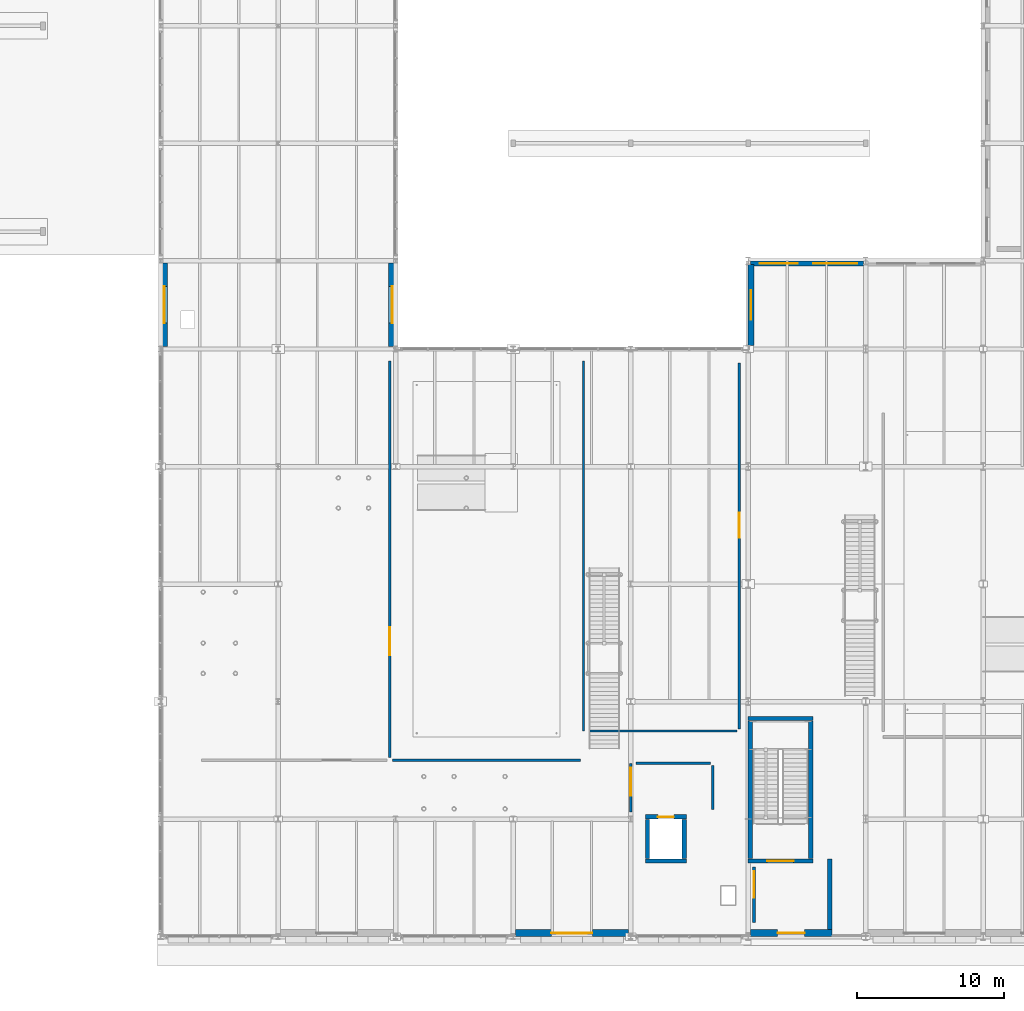
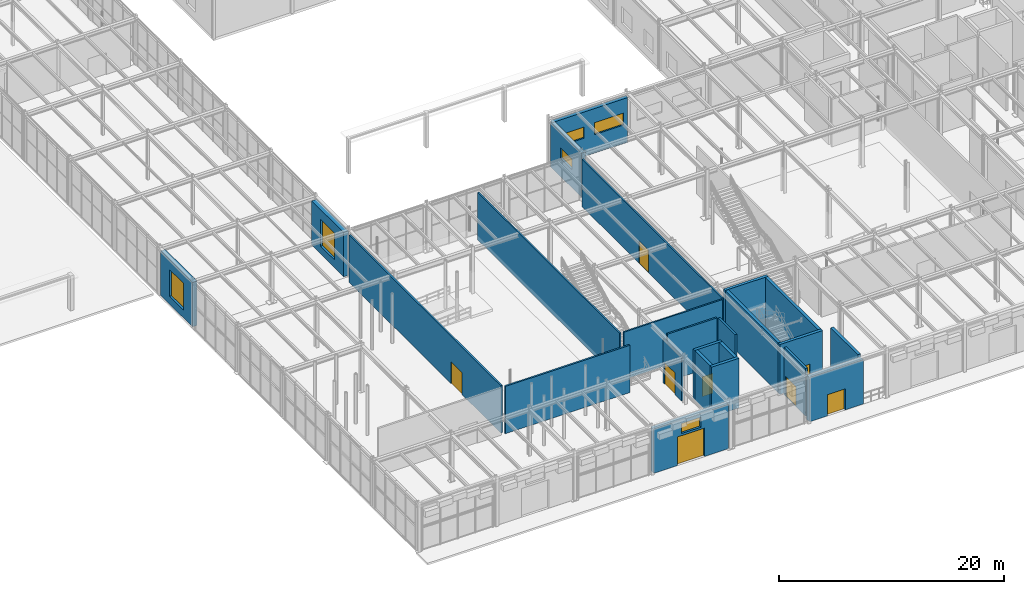
# One storey, part 78 of 129: 24 walls, 8 doors, 6 windows, 14 openings.
"""IFC4 building model written with IfcOpenShell, lengths in metres."""

import ifcopenshell
import ifcopenshell.guid

model = None  # the IFC model being written
_history = None  # IfcOwnerHistory: only IFC2X3 demands one
_inside = {}  # id of a spatial element -> (the spatial element, [elements in it])
_under = {}  # id of a project, library or spatial element -> (it, [spatial elements below it])
_declared = {}  # id of a project -> (the project, [libraries it declares])
_typed = {}  # id of a type object -> (the type object, [elements of that type])
_made_of = {}  # id of a material, layer set ... -> (it, [elements and type objects made of it])


def new_model(schema):
    """Start an empty IFC model of exactly this schema.

    Asked for "IFC4X3", IfcOpenShell would pick the latest addendum, in which some entities
    have other attributes; the version numbers below select the first issue.
    IFC2X3 requires an IfcOwnerHistory on every rooted entity: one is made here for all.
    """
    global model, _history
    if schema == "IFC4X3":
        model = ifcopenshell.file(schema_version=(4, 3, 0, 0))
    else:
        model = ifcopenshell.file(schema=schema)
    _inside.clear()
    _under.clear()
    _declared.clear()
    _typed.clear()
    _made_of.clear()
    _history = None
    if model.schema == "IFC2X3":
        org = make("IfcOrganization", Name="unknown")
        user = make(
            "IfcPersonAndOrganization",
            ThePerson=make("IfcPerson", FamilyName="unknown"),
            TheOrganization=org,
        )
        app = make(
            "IfcApplication",
            ApplicationDeveloper=org,
            Version="unknown",
            ApplicationFullName="unknown",
            ApplicationIdentifier="unknown",
        )
        _history = make(
            "IfcOwnerHistory",
            OwningUser=user,
            OwningApplication=app,
            ChangeAction="ADDED",
            CreationDate=0,
        )
    return model


def make(cls, **values):
    """One entity of the class cls with the attributes given. An attribute that is None is left unset."""
    return model.create_entity(
        cls, **{name: value for name, value in values.items() if value is not None}
    )


def rooted(cls, **values):
    """An entity with a GlobalId (a new one), such as an element, a storey or a relation."""
    return make(cls, GlobalId=ifcopenshell.guid.new(), OwnerHistory=_history, **values)


def si_unit(unit_type, name, prefix=None):
    """IfcSIUnit, for example si_unit("LENGTHUNIT", "METRE", prefix="MILLI")."""
    return make("IfcSIUnit", UnitType=unit_type, Prefix=prefix, Name=name)


def assignment(units):
    """IfcUnitAssignment: the units of a project."""
    return None if units is None else make("IfcUnitAssignment", Units=units)


def point(xyz):
    """IfcCartesianPoint."""
    return None if xyz is None else make("IfcCartesianPoint", Coordinates=xyz)


def direction(xyz):
    """IfcDirection."""
    return None if xyz is None else make("IfcDirection", DirectionRatios=xyz)


def frame(location, z_axis=None, x_axis=None):
    """IfcAxis2Placement3D, a coordinate frame: its origin and axes. An axis left out is left unset."""
    return make(
        "IfcAxis2Placement3D",
        Location=point(location),
        Axis=direction(z_axis),
        RefDirection=direction(x_axis),
    )


def frame_2d(location, x_axis=None):
    """IfcAxis2Placement2D, a coordinate frame in the plane: its origin and x axis."""
    return make(
        "IfcAxis2Placement2D", Location=point(location), RefDirection=direction(x_axis)
    )


def origin():
    """The frame at (0, 0, 0) with its axes left unset."""
    return frame((0.0, 0.0, 0.0))


def place(relative_to, where):
    """IfcLocalPlacement: puts the frame where relative to a parent placement (None: the world)."""
    return make(
        "IfcLocalPlacement", PlacementRelTo=relative_to, RelativePlacement=where
    )


def context(
    kind, dimensions, precision=None, world=None, true_north=None, identifier=None
):
    """IfcGeometricRepresentationContext, for example the 3D "Model" context."""
    return make(
        "IfcGeometricRepresentationContext",
        ContextIdentifier=identifier,
        ContextType=kind,
        CoordinateSpaceDimension=dimensions,
        Precision=precision,
        WorldCoordinateSystem=world,
        TrueNorth=true_north,
    )


def subcontext(parent, identifier, kind, view, scale=None):
    """IfcGeometricRepresentationSubContext, for example "Body" below "Model"."""
    return make(
        "IfcGeometricRepresentationSubContext",
        ContextIdentifier=identifier,
        ContextType=kind,
        ParentContext=parent,
        TargetScale=scale,
        TargetView=view,
    )


def project(units=None, contexts=None):
    """IfcProject with its units and contexts."""
    return rooted(
        "IfcProject",
        Name="project",
        RepresentationContexts=contexts,
        UnitsInContext=assignment(units),
    )


def spatial(cls, under=None, at=None, **own):
    """A site, building, storey or space (cls), placed at a placement, below another one or the project."""
    s = rooted(cls, ObjectPlacement=at, **own)
    if under is not None:
        _under.setdefault(under.id(), (under, []))[1].append(s)
    return s


def profile(cls, at=None, kind="AREA", **sizes):
    """A parametric profile (cls). Its sizes go by their IFC names, for example OverallWidth=200.0."""
    return make(cls, ProfileType=kind, Position=at, **sizes)


def rectangle(**sizes):
    """IfcRectangleProfileDef."""
    return profile("IfcRectangleProfileDef", **sizes)


def extrude(swept, where, along, depth):
    """IfcExtrudedAreaSolid: the profile swept, set in the frame where, extruded along a direction by depth."""
    return make(
        "IfcExtrudedAreaSolid",
        SweptArea=swept,
        Position=where,
        ExtrudedDirection=direction(along),
        Depth=depth,
    )


def shape(context_of_items, identifier, shape_type, items):
    """IfcShapeRepresentation: the items that make up one representation, for example the "Body"."""
    return make(
        "IfcShapeRepresentation",
        ContextOfItems=context_of_items,
        RepresentationIdentifier=identifier,
        RepresentationType=shape_type,
        Items=items,
    )


def material(Name=None, Category=None):
    """IfcMaterial."""
    return make("IfcMaterial", Name=Name, Category=Category)


def layer(
    of_material, thickness, ventilated=None, Name=None, Category=None, Priority=None
):
    """IfcMaterialLayer: one layer of a wall or slab, of a material (None: an air gap)."""
    return make(
        "IfcMaterialLayer",
        Material=of_material,
        LayerThickness=thickness,
        IsVentilated=ventilated,
        Name=Name,
        Category=Category,
        Priority=Priority,
    )


def layer_set(layers, Name=None):
    """IfcMaterialLayerSet."""
    return make("IfcMaterialLayerSet", MaterialLayers=layers, LayerSetName=Name)


def made_of(thing, what):
    """Note that an element or type object is made of a material, layer set ...; save() writes the relation."""
    if what is not None:
        _made_of.setdefault(what.id(), (what, []))[1].append(thing)
    return thing


def type_object(cls, material=None, **own):
    """A type object (cls), such as IfcWallType, which elements share."""
    return made_of(rooted(cls, **own), material)


def element(
    cls,
    number,
    at=None,
    inside=None,
    cuts=None,
    type_object=None,
    material=None,
    context=None,
    identifier="Body",
    shape_type=None,
    held_by="IfcProductDefinitionShape",
    body=None,
    shapes=None,
    **own,
):
    """One element of the class cls, such as IfcWall. Its Tag is "e" and its number.

    at: its placement. inside: the storey or other place that contains it. cuts: it is an
    opening in that element (IfcRelVoidsElement). A single representation is given by context,
    identifier, shape_type and body (its items); several are given by shapes. held_by: the class
    of the entity that holds the representations. save() writes the other relations.
    """
    e = rooted(cls, Tag="e%d" % number, ObjectPlacement=at, **own)
    if body is not None:
        shapes = [shape(context, identifier, shape_type, body)]
    if shapes is not None:
        e.Representation = make(held_by, Representations=shapes)
    if inside is not None:
        _inside.setdefault(inside.id(), (inside, []))[1].append(e)
    if cuts is not None:
        rooted(
            "IfcRelVoidsElement", RelatingBuildingElement=cuts, RelatedOpeningElement=e
        )
    if type_object is not None:
        _typed.setdefault(type_object.id(), (type_object, []))[1].append(e)
    return made_of(e, material)


def fill(opening, filler):
    """IfcRelFillsElement: the door or window that sits in an opening."""
    return rooted(
        "IfcRelFillsElement",
        RelatingOpeningElement=opening,
        RelatedBuildingElement=filler,
    )


def aggregate(whole, parts):
    """IfcRelAggregates: a whole, such as a stair, and the parts it consists of."""
    return rooted("IfcRelAggregates", RelatingObject=whole, RelatedObjects=parts)


def save(model, path):
    """Write the relations noted so far, then the file.

    IfcRelAggregates (storeys below a building ...), IfcRelContainedInSpatialStructure (elements
    in a storey), IfcRelDefinesByType, IfcRelAssociatesMaterial and IfcRelDeclares: one each for
    every whole, place, type object, material and project.
    """
    for whole, parts in _under.values():
        aggregate(whole, parts)
    for where, things in _inside.values():
        rooted(
            "IfcRelContainedInSpatialStructure",
            RelatedElements=things,
            RelatingStructure=where,
        )
    for kind, things in _typed.values():
        rooted("IfcRelDefinesByType", RelatedObjects=things, RelatingType=kind)
    for what, things in _made_of.values():
        rooted("IfcRelAssociatesMaterial", RelatedObjects=things, RelatingMaterial=what)
    for by, libraries in _declared.values():
        rooted("IfcRelDeclares", RelatingContext=by, RelatedDefinitions=libraries)
    model.write(path)


model = new_model("IFC4")

# Units and contexts
model_context = context("Model", 3, precision=1e-05, world=origin(), true_north=direction((0.0, 1.0)))
body_context = subcontext(model_context, "Body", "Model", "MODEL_VIEW")
ifc_project = project(units=[si_unit("LENGTHUNIT", "METRE"), si_unit("AREAUNIT", "SQUARE_METRE"), si_unit("VOLUMEUNIT", "CUBIC_METRE"), si_unit("PLANEANGLEUNIT", "RADIAN"), si_unit("MASSUNIT", "GRAM", prefix="KILO")], contexts=[model_context])

# Site, building, storey
site_placement = place(None, origin())
site = spatial("IfcSite", under=ifc_project, at=site_placement, CompositionType="ELEMENT")
building_placement = place(site_placement, origin())
building = spatial("IfcBuilding", under=site, at=building_placement, Name="Sundkrona Museum", CompositionType="ELEMENT")
storey_placement = place(building_placement, origin())
storey = spatial("IfcBuildingStorey", under=building, at=storey_placement, Name="L00", CompositionType="ELEMENT", Elevation=0.0)

# Wall, opening, door
ifc_material_1 = material(Name="Concrete C40/50", Category="concrete")
ifc_layer_1 = layer(ifc_material_1, 0.300048828125)
ifc_layer_set_1 = layer_set([ifc_layer_1], Name="Concrete C40/50")
wall_type_1 = type_object("IfcWallType", Name="W-CORE-300", PredefinedType="SHEAR", material=ifc_layer_set_1)
wall_1_placement = place(storey_placement, frame((120.0, 5.14990234375, 0.0), z_axis=(0.0, 0.0, 1.0), x_axis=(1.0, 0.0, 0.0)))
wall_1 = element("IfcWall", 1, at=wall_1_placement, inside=storey, type_object=wall_type_1, Name="L00 ST-2 Core Shear Wall South", PredefinedType="SHEAR", context=body_context, shape_type="SweptSolid", body=[
    extrude(rectangle(XDim=4.39990234375, YDim=0.300048828125, at=frame_2d((2.199951171875, 0.0))), origin(), (0.0, 0.0, 1.0), 5.39990234375),
])
opening_1_placement = place(wall_1_placement, frame((1.300048828125, 0.0, 0.0)))
opening_1 = element("IfcOpeningElement", 2, at=opening_1_placement, cuts=wall_1, Name="Opening D-FD60", PredefinedType="OPENING", context=body_context, shape_type="SweptSolid", body=[
    extrude(rectangle(XDim=1.800048828125, YDim=2.199951171875, at=frame_2d((0.89990234375, 1.10009765625))), frame((0.0, 0.159912109375, 0.0), z_axis=(0.0, -1.0, 0.0), x_axis=(1.0, 0.0, 0.0)), (0.0, 0.0, 1.0), 0.320068359375),
])
ifc_material_2 = material(Name="Steel S355J2 Fire Door Leaf", Category="steel")
door_type_1 = type_object("IfcDoorType", Name="D-FD60", OperationType="DOUBLE_DOOR_SINGLE_SWING", PredefinedType="DOOR", material=ifc_material_2)
door_1_placement = place(opening_1_placement, origin())
door_1 = element("IfcDoor", 3, at=door_1_placement, inside=storey, type_object=door_type_1, Name="L00 ST-2 Protected Escape Stair Door DR-ST-2-L00", OperationType="DOUBLE_DOOR_SINGLE_SWING", OverallHeight=2.199951171875, OverallWidth=1.800048828125, PredefinedType="DOOR", context=body_context, shape_type="SweptSolid", body=[
    extrude(rectangle(XDim=1.800048828125, YDim=2.199951171875, at=frame_2d((0.89990234375, 1.10009765625))), frame((0.0, 0.02490234375, 0.0), z_axis=(0.0, -1.0, 0.0), x_axis=(1.0, 0.0, 0.0)), (0.0, 0.0, 1.0), 0.050048828125),
])
fill(opening_1, door_1)

# Walls
wall_2_placement = place(storey_placement, frame((120.0, 14.85009765625, 0.0), z_axis=(0.0, 0.0, 1.0), x_axis=(1.0, 0.0, 0.0)))
element("IfcWall", 4, at=wall_2_placement, inside=storey, type_object=wall_type_1, Name="L00 ST-2 Core Shear Wall North", PredefinedType="SHEAR", context=body_context, shape_type="SweptSolid", body=[
    extrude(rectangle(XDim=4.39990234375, YDim=0.300048828125, at=frame_2d((2.199951171875, 0.0))), origin(), (0.0, 0.0, 1.0), 5.39990234375),
])
for number, where, z_axis, x_axis, name in (
    (5, (120.14990234375, 5.31005859375, 0.0), (0.0, 0.0, 1.0), (0.0, 1.0, 0.0), "L00 ST-2 Core Shear Wall West"),
    (6, (124.25, 5.31005859375, 0.0), (0.0, 0.0, 1.0), (0.0, 1.0, 0.0), "L00 ST-2 Core Shear Wall East"),
):
    element("IfcWall", number, at=place(storey_placement, frame(where, z_axis=z_axis, x_axis=x_axis)), inside=storey, type_object=wall_type_1, Name=name, PredefinedType="SHEAR", context=body_context, shape_type="SweptSolid", body=[
        extrude(rectangle(XDim=9.3798828125, YDim=0.300048828125, at=frame_2d((4.68994140625, 0.0))), origin(), (0.0, 0.0, 1.0), 5.39990234375),
    ])
wall_3_placement = place(storey_placement, frame((113.0, 5.14990234375, 0.0), z_axis=(0.0, 0.0, 1.0), x_axis=(1.0, 0.0, 0.0)))
element("IfcWall", 7, at=wall_3_placement, inside=storey, type_object=wall_type_1, Name="L00 PL-2 Lift Shaft Wall South", PredefinedType="SHEAR", context=body_context, shape_type="SweptSolid", body=[
    extrude(rectangle(XDim=2.800048828125, YDim=0.300048828125, at=frame_2d((1.39990234375, 0.0))), origin(), (0.0, 0.0, 1.0), 5.39990234375),
])

# Wall, opening, door
wall_4_placement = place(storey_placement, frame((113.0, 8.14990234375, 0.0), z_axis=(0.0, 0.0, 1.0), x_axis=(1.0, 0.0, 0.0)))
wall_4 = element("IfcWall", 8, at=wall_4_placement, inside=storey, type_object=wall_type_1, Name="L00 PL-2 Lift Shaft Wall North", PredefinedType="SHEAR", context=body_context, shape_type="SweptSolid", body=[
    extrude(rectangle(XDim=2.800048828125, YDim=0.300048828125, at=frame_2d((1.39990234375, 0.0))), origin(), (0.0, 0.0, 1.0), 5.39990234375),
])
opening_2_placement = place(wall_4_placement, frame((0.85009765625, 0.0, 0.0)))
opening_2 = element("IfcOpeningElement", 9, at=opening_2_placement, cuts=wall_4, Name="Opening LD-01", PredefinedType="OPENING", context=body_context, shape_type="SweptSolid", body=[
    extrude(rectangle(XDim=1.10009765625, YDim=2.14990234375, at=frame_2d((0.550048828125, 1.074951171875))), frame((0.0, 0.159912109375, 0.0), z_axis=(0.0, -1.0, 0.0), x_axis=(1.0, 0.0, 0.0)), (0.0, 0.0, 1.0), 0.320068359375),
])
ifc_material_3 = material(Name="Brushed Stainless Steel Lift Door", Category="steel")
door_type_2 = type_object("IfcDoorType", Name="LD-01", OperationType="SLIDING_TO_LEFT", PredefinedType="DOOR", material=ifc_material_3)
door_2_placement = place(opening_2_placement, origin())
door_2 = element("IfcDoor", 10, at=door_2_placement, inside=storey, type_object=door_type_2, Name="L00 Public Gallery Passenger Lift PL-2 Landing Door DR-LIFT-PL-2-L00", OperationType="SLIDING_TO_LEFT", OverallHeight=2.14990234375, OverallWidth=1.10009765625, PredefinedType="DOOR", context=body_context, shape_type="SweptSolid", body=[
    extrude(rectangle(XDim=1.10009765625, YDim=2.14990234375, at=frame_2d((0.550048828125, 1.074951171875))), frame((0.0, 0.02490234375, 0.0), z_axis=(0.0, -1.0, 0.0), x_axis=(1.0, 0.0, 0.0)), (0.0, 0.0, 1.0), 0.050048828125),
])
fill(opening_2, door_2)

# Walls
for number, where, z_axis, x_axis, name in (
    (11, (113.14990234375, 5.31005859375, 0.0), (0.0, 0.0, 1.0), (0.0, 1.0, 0.0), "L00 PL-2 Lift Shaft Wall West"),
    (12, (115.64990234375, 5.31005859375, 0.0), (0.0, 0.0, 1.0), (0.0, 1.0, 0.0), "L00 PL-2 Lift Shaft Wall East"),
):
    element("IfcWall", number, at=place(storey_placement, frame(where, z_axis=z_axis, x_axis=x_axis)), inside=storey, type_object=wall_type_1, Name=name, PredefinedType="SHEAR", context=body_context, shape_type="SweptSolid", body=[
        extrude(rectangle(XDim=2.679931640625, YDim=0.300048828125, at=frame_2d((1.33984375, 0.0))), origin(), (0.0, 0.0, 1.0), 5.39990234375),
    ])
wall_5_placement = place(storey_placement, frame((125.550048828125, 0.47998046875, 0.0), z_axis=(0.0, 0.0, 1.0), x_axis=(0.0, 1.0, 0.0)))
element("IfcWall", 13, at=wall_5_placement, inside=storey, type_object=wall_type_1, Name="Core 2 ST-2 Protected Exit Passage Enclosure Wall", PredefinedType="SHEAR", context=body_context, shape_type="SweptSolid", body=[
    extrude(rectangle(XDim=4.820068359375, YDim=0.300048828125, at=frame_2d((2.41015625, 0.0))), origin(), (0.0, 0.0, 1.0), 5.159912109375),
])

# Wall, opening, window
ifc_material_4 = material(Name="Scanian Polychrome Clay Brickwork 390 mm", Category="masonry")
ifc_layer_2 = layer(ifc_material_4, 0.389892578125)
ifc_layer_set_2 = layer_set([ifc_layer_2], Name="Scanian Polychrome Clay Brickwork 390 mm")
wall_type_2 = type_object("IfcWallType", Name="W-EX-390", PredefinedType="SOLIDWALL", material=ifc_layer_set_2)
wall_6_placement = place(storey_placement, frame((120.195068359375, 40.251953125, 0.0), z_axis=(0.0, 0.0, 1.0), x_axis=(0.0, 1.0, 0.0)))
wall_6 = element("IfcWall", 14, at=wall_6_placement, inside=storey, type_object=wall_type_2, Name="L00 Facade Wall 0011", PredefinedType="SOLIDWALL", context=body_context, shape_type="SweptSolid", body=[
    extrude(rectangle(XDim=5.49609375, YDim=0.389892578125, at=frame_2d((2.748046875, 0.0))), origin(), (0.0, 0.0, 1.0), 4.81494140625),
])
opening_3_placement = place(wall_6_placement, frame((1.748046875, 0.0, 2.0)))
opening_3 = element("IfcOpeningElement", 15, at=opening_3_placement, cuts=wall_6, Name="Opening WN-CL-200x110", PredefinedType="OPENING", context=body_context, shape_type="SweptSolid", body=[
    extrude(rectangle(XDim=2.0, YDim=1.10009765625, at=frame_2d((1.0, 0.550048828125))), frame((0.0, 0.204833984375, 0.0), z_axis=(0.0, -1.0, 0.0), x_axis=(1.0, 0.0, 0.0)), (0.0, 0.0, 1.0), 0.409912109375),
])
ifc_material_5 = material(Name="Triple Low-E Argon Glazing in Bronze-Anodised Aluminium", Category="aluminium")
window_type_1 = type_object("IfcWindowType", Name="WN-CL-200x110", PartitioningType="DOUBLE_PANEL_HORIZONTAL", PredefinedType="WINDOW", material=ifc_material_5)
window_1_placement = place(opening_3_placement, origin())
window_1 = element("IfcWindow", 16, at=window_1_placement, inside=storey, type_object=window_type_1, Name="L00 Archive foyer clerestory window 2000x1100 WIN-L00-0012", OverallHeight=1.10009765625, OverallWidth=2.0, PartitioningType="DOUBLE_PANEL_HORIZONTAL", PredefinedType="WINDOW", context=body_context, shape_type="SweptSolid", body=[
    extrude(rectangle(XDim=2.0, YDim=1.10009765625, at=frame_2d((1.0, 0.550048828125))), frame((0.0, 0.030029296875, 0.0), z_axis=(0.0, -1.0, 0.0), x_axis=(1.0, 0.0, 0.0)), (0.0, 0.0, 1.0), 0.06005859375),
])
fill(opening_3, window_1)

# Wall, opening, door
ifc_material_6 = material(Name="Autoclaved Aerated Masonry 225 mm", Category="masonry")
ifc_layer_3 = layer(ifc_material_6, 0.22509765625)
ifc_layer_set_3 = layer_set([ifc_layer_3], Name="Autoclaved Aerated Masonry 225 mm")
wall_type_3 = type_object("IfcWallType", Name="W-FF-225", PredefinedType="SOLIDWALL", material=ifc_layer_set_3)
wall_7_placement = place(storey_placement, frame((120.39990234375, 0.949951171875, 0.0), z_axis=(0.0, 0.0, 1.0), x_axis=(0.0, 1.0, 0.0)))
wall_7 = element("IfcWall", 17, at=wall_7_placement, inside=storey, type_object=wall_type_3, Name="L00 Protected Exit Passage Enclosure Wall W", PredefinedType="SOLIDWALL", context=body_context, shape_type="SweptSolid", body=[
    extrude(rectangle(XDim=3.800048828125, YDim=0.22509765625, at=frame_2d((1.89990234375, 0.0))), origin(), (0.0, 0.0, 1.0), 5.159912109375),
])
opening_4_placement = place(wall_7_placement, frame((1.699951171875, 0.0, 0.0)))
opening_4 = element("IfcOpeningElement", 18, at=opening_4_placement, cuts=wall_7, Name="Opening D-FD60", PredefinedType="OPENING", context=body_context, shape_type="SweptSolid", body=[
    extrude(rectangle(XDim=1.800048828125, YDim=2.199951171875, at=frame_2d((0.89990234375, 1.10009765625))), frame((0.0, 0.12255859375, 0.0), z_axis=(0.0, -1.0, 0.0), x_axis=(1.0, 0.0, 0.0)), (0.0, 0.0, 1.0), 0.2451171875),
])
door_3_placement = place(opening_4_placement, origin())
door_3 = element("IfcDoor", 19, at=door_3_placement, inside=storey, type_object=door_type_1, Name="L00 Interior Door DR-INT-L00-0069", OperationType="DOUBLE_DOOR_SINGLE_SWING", OverallHeight=2.199951171875, OverallWidth=1.800048828125, PredefinedType="DOOR", context=body_context, shape_type="SweptSolid", body=[
    extrude(rectangle(XDim=1.800048828125, YDim=2.199951171875, at=frame_2d((0.89990234375, 1.10009765625))), frame((0.0, 0.02490234375, 0.0), z_axis=(0.0, -1.0, 0.0), x_axis=(1.0, 0.0, 0.0)), (0.0, 0.0, 1.0), 0.050048828125),
])
fill(opening_4, door_3)

ifc_material_7 = material(Name="Danian Limestone Ashlar Masonry 480 mm", Category="masonry")
ifc_layer_4 = layer(ifc_material_7, 0.47998046875)
ifc_layer_set_4 = layer_set([ifc_layer_4], Name="Danian Limestone Ashlar Masonry 480 mm")
wall_type_4 = type_object("IfcWallType", Name="W-LIM-480", PredefinedType="SOLIDWALL", material=ifc_layer_set_4)
wall_8_placement = place(storey_placement, frame((125.699951171875, 0.239990234375, 0.0), z_axis=(0.0, 0.0, 1.0), x_axis=(-1.0, 0.0, 0.0)))
wall_8 = element("IfcWall", 20, at=wall_8_placement, inside=storey, type_object=wall_type_4, Name="Core 2 ST-2 Protected Exit Passage Street Wall", PredefinedType="SOLIDWALL", context=body_context, shape_type="SweptSolid", body=[
    extrude(rectangle(XDim=5.550048828125, YDim=0.47998046875, at=frame_2d((2.77490234375, 0.0))), origin(), (0.0, 0.0, 1.0), 4.81494140625),
])
opening_5_placement = place(wall_8_placement, frame((1.85009765625, 0.0, 0.0)))
opening_5 = element("IfcOpeningElement", 21, at=opening_5_placement, cuts=wall_8, Name="Opening D-EX-185", PredefinedType="OPENING", context=body_context, shape_type="SweptSolid", body=[
    extrude(rectangle(XDim=1.85009765625, YDim=2.300048828125, at=frame_2d((0.925048828125, 1.14990234375))), frame((0.0, 0.25, 0.0), z_axis=(0.0, -1.0, 0.0), x_axis=(1.0, 0.0, 0.0)), (0.0, 0.0, 1.0), 0.5),
])
ifc_material_8 = material(Name="Thermally Broken Aluminium Exit Door", Category="aluminium")
door_type_3 = type_object("IfcDoorType", Name="D-EX-185", OperationType="DOUBLE_DOOR_SINGLE_SWING", PredefinedType="DOOR", material=ifc_material_8)
door_4_placement = place(opening_5_placement, origin())
door_4 = element("IfcDoor", 22, at=door_4_placement, inside=storey, type_object=door_type_3, Name="Core 2 ST-2 Exit Passage Street Door DR-ST2-EXIT", OperationType="DOUBLE_DOOR_SINGLE_SWING", OverallHeight=2.300048828125, OverallWidth=1.85009765625, PredefinedType="DOOR", context=body_context, shape_type="SweptSolid", body=[
    extrude(rectangle(XDim=1.85009765625, YDim=2.300048828125, at=frame_2d((0.925048828125, 1.14990234375))), frame((0.0, 0.02490234375, 0.0), z_axis=(0.0, -1.0, 0.0), x_axis=(1.0, 0.0, 0.0)), (0.0, 0.0, 1.0), 0.050048828125),
])
fill(opening_5, door_4)

# Wall, openings, door, window
wall_9_placement = place(storey_placement, frame((111.847900390625, 0.239990234375, 0.0), z_axis=(0.0, 0.0, 1.0), x_axis=(-1.0, 0.0, 0.0)))
wall_9 = element("IfcWall", 23, at=wall_9_placement, inside=storey, type_object=wall_type_4, Name="L00 Facade Wall 0091", PredefinedType="SOLIDWALL", context=body_context, shape_type="SweptSolid", body=[
    extrude(rectangle(XDim=7.69580078125, YDim=0.47998046875, at=frame_2d((3.847900390625, 0.0))), origin(), (0.0, 0.0, 1.0), 4.81494140625),
])
opening_6_placement = place(wall_9_placement, frame((2.447998046875, 0.0, 0.0)))
opening_6 = element("IfcOpeningElement", 24, at=opening_6_placement, cuts=wall_9, Name="Opening D-EX-280", PredefinedType="OPENING", context=body_context, shape_type="SweptSolid", body=[
    extrude(rectangle(XDim=2.800048828125, YDim=3.10009765625, at=frame_2d((1.39990234375, 1.550048828125))), frame((0.0, 0.25, 0.0), z_axis=(0.0, -1.0, 0.0), x_axis=(1.0, 0.0, 0.0)), (0.0, 0.0, 1.0), 0.5),
])
opening_7_placement = place(wall_9_placement, frame((2.847900390625, 0.0, 3.320068359375)))
opening_7 = element("IfcOpeningElement", 25, at=opening_7_placement, cuts=wall_9, Name="Opening WN-CL-200x110", PredefinedType="OPENING", context=body_context, shape_type="SweptSolid", body=[
    extrude(rectangle(XDim=2.0, YDim=1.10009765625, at=frame_2d((1.0, 0.550048828125))), frame((0.0, 0.25, 0.0), z_axis=(0.0, -1.0, 0.0), x_axis=(1.0, 0.0, 0.0)), (0.0, 0.0, 1.0), 0.5),
])
ifc_material_9 = material(Name="Bronze and Triple-Glazed Entrance Door", Category="other")
door_type_4 = type_object("IfcDoorType", Name="D-EX-280", OperationType="DOUBLE_DOOR_SINGLE_SWING", PredefinedType="DOOR", material=ifc_material_9)
door_5_placement = place(opening_6_placement, origin())
door_5 = element("IfcDoor", 26, at=door_5_placement, inside=storey, type_object=door_type_4, Name="L00 Exterior Door D-EX-280 DR-FE-V2S-104", OperationType="DOUBLE_DOOR_SINGLE_SWING", OverallHeight=3.10009765625, OverallWidth=2.800048828125, PredefinedType="DOOR", context=body_context, shape_type="SweptSolid", body=[
    extrude(rectangle(XDim=2.800048828125, YDim=3.10009765625, at=frame_2d((1.39990234375, 1.550048828125))), frame((0.0, 0.02490234375, 0.0), z_axis=(0.0, -1.0, 0.0), x_axis=(1.0, 0.0, 0.0)), (0.0, 0.0, 1.0), 0.050048828125),
])
fill(opening_6, door_5)
window_2_placement = place(opening_7_placement, origin())
window_2 = element("IfcWindow", 27, at=window_2_placement, inside=storey, type_object=window_type_1, Name="L00 Archive foyer clerestory window 2000x1100 WIN-L00-0126", OverallHeight=1.10009765625, OverallWidth=2.0, PartitioningType="DOUBLE_PANEL_HORIZONTAL", PredefinedType="WINDOW", context=body_context, shape_type="SweptSolid", body=[
    extrude(rectangle(XDim=2.0, YDim=1.10009765625, at=frame_2d((1.0, 0.550048828125))), frame((0.0, 0.030029296875, 0.0), z_axis=(0.0, -1.0, 0.0), x_axis=(1.0, 0.0, 0.0)), (0.0, 0.0, 1.0), 0.06005859375),
])
fill(opening_7, window_2)

# Wall, opening, window
wall_10_placement = place(storey_placement, frame((80.239990234375, 40.181884765625, 0.0), z_axis=(0.0, 0.0, 1.0), x_axis=(0.0, 1.0, 0.0)))
wall_10 = element("IfcWall", 28, at=wall_10_placement, inside=storey, type_object=wall_type_4, Name="L00 Facade Wall 0092", PredefinedType="SOLIDWALL", context=body_context, shape_type="SweptSolid", body=[
    extrude(rectangle(XDim=5.676025390625, YDim=0.47998046875, at=frame_2d((2.837890625, 0.0))), origin(), (0.0, 0.0, 1.0), 4.81494140625),
])
opening_8_placement = place(wall_10_placement, frame((1.587890625, 0.0, 0.85009765625)))
opening_8 = element("IfcOpeningElement", 29, at=opening_8_placement, cuts=wall_10, Name="Opening WN-SH-250x290", PredefinedType="OPENING", context=body_context, shape_type="SweptSolid", body=[
    extrude(rectangle(XDim=2.5, YDim=2.89990234375, at=frame_2d((1.25, 1.449951171875))), frame((0.0, 0.25, 0.0), z_axis=(0.0, -1.0, 0.0), x_axis=(1.0, 0.0, 0.0)), (0.0, 0.0, 1.0), 0.5),
])
window_type_2 = type_object("IfcWindowType", Name="WN-SH-250x290", PartitioningType="DOUBLE_PANEL_VERTICAL", PredefinedType="WINDOW", material=ifc_material_5)
window_3_placement = place(opening_8_placement, origin())
window_3 = element("IfcWindow", 30, at=window_3_placement, inside=storey, type_object=window_type_2, Name="L00 Museum shop passage display window 2500x2900 WIN-L00-0127", OverallHeight=2.89990234375, OverallWidth=2.5, PartitioningType="DOUBLE_PANEL_VERTICAL", PredefinedType="WINDOW", context=body_context, shape_type="SweptSolid", body=[
    extrude(rectangle(XDim=2.5, YDim=2.89990234375, at=frame_2d((1.25, 1.449951171875))), frame((0.0, 0.030029296875, 0.0), z_axis=(0.0, -1.0, 0.0), x_axis=(1.0, 0.0, 0.0)), (0.0, 0.0, 1.0), 0.06005859375),
])
fill(opening_8, window_3)

wall_11_placement = place(storey_placement, frame((95.760009765625, 45.85791015625, 0.0), z_axis=(0.0, 0.0, 1.0), x_axis=(0.0, -1.0, 0.0)))
wall_11 = element("IfcWall", 31, at=wall_11_placement, inside=storey, type_object=wall_type_4, Name="L00 Facade Wall 0093", PredefinedType="SOLIDWALL", context=body_context, shape_type="SweptSolid", body=[
    extrude(rectangle(XDim=5.676025390625, YDim=0.47998046875, at=frame_2d((2.837890625, 0.0))), origin(), (0.0, 0.0, 1.0), 4.81494140625),
])
opening_9_placement = place(wall_11_placement, frame((1.587890625, 0.0, 0.85009765625)))
opening_9 = element("IfcOpeningElement", 32, at=opening_9_placement, cuts=wall_11, Name="Opening WN-SH-250x290", PredefinedType="OPENING", context=body_context, shape_type="SweptSolid", body=[
    extrude(rectangle(XDim=2.5, YDim=2.89990234375, at=frame_2d((1.25, 1.449951171875))), frame((0.0, 0.25, 0.0), z_axis=(0.0, -1.0, 0.0), x_axis=(1.0, 0.0, 0.0)), (0.0, 0.0, 1.0), 0.5),
])
window_4_placement = place(opening_9_placement, origin())
window_4 = element("IfcWindow", 33, at=window_4_placement, inside=storey, type_object=window_type_2, Name="L00 Museum shop passage display window 2500x2900 WIN-L00-0128", OverallHeight=2.89990234375, OverallWidth=2.5, PartitioningType="DOUBLE_PANEL_VERTICAL", PredefinedType="WINDOW", context=body_context, shape_type="SweptSolid", body=[
    extrude(rectangle(XDim=2.5, YDim=2.89990234375, at=frame_2d((1.25, 1.449951171875))), frame((0.0, 0.030029296875, 0.0), z_axis=(0.0, -1.0, 0.0), x_axis=(1.0, 0.0, 0.0)), (0.0, 0.0, 1.0), 0.06005859375),
])
fill(opening_9, window_4)

# Walls
ifc_material_10 = material(Name="Acoustic Gypsum Partition Board 150 mm", Category="other")
ifc_layer_5 = layer(ifc_material_10, 0.14990234375)
ifc_layer_set_5 = layer_set([ifc_layer_5], Name="Acoustic Gypsum Partition Board 150 mm")
wall_type_5 = type_object("IfcWallType", Name="W-PT-150", PredefinedType="PARTITIONING", material=ifc_layer_set_5)
wall_12_placement = place(storey_placement, frame((108.800048828125, 14.0, 0.0), z_axis=(0.0, 0.0, 1.0), x_axis=(0.0, 1.0, 0.0)))
element("IfcWall", 34, at=wall_12_placement, inside=storey, type_object=wall_type_5, Name="L00 Partition Atrium Public Foyer / Museum Shop", PredefinedType="PARTITIONING", context=body_context, shape_type="SweptSolid", body=[
    extrude(rectangle(XDim=25.199951171875, YDim=0.14990234375, at=frame_2d((12.60009765625, 0.0))), origin(), (0.0, 0.0, 1.0), 5.139892578125),
])
wall_13_placement = place(storey_placement, frame((109.14990234375, 14.0, 0.0), z_axis=(0.0, 0.0, 1.0), x_axis=(1.0, 0.0, 0.0)))
element("IfcWall", 35, at=wall_13_placement, inside=storey, type_object=wall_type_5, Name="L00 Museum Shop Enclosure Wall S", PredefinedType="PARTITIONING", context=body_context, shape_type="SweptSolid", body=[
    extrude(rectangle(XDim=10.10009765625, YDim=0.14990234375, at=frame_2d((5.050048828125, 0.0))), origin(), (0.0, 0.0, 1.0), 5.139892578125),
])

# Wall, opening, door
wall_14_placement = place(storey_placement, frame((119.39990234375, 14.14990234375, 0.0), z_axis=(0.0, 0.0, 1.0), x_axis=(0.0, 1.0, 0.0)))
wall_14 = element("IfcWall", 36, at=wall_14_placement, inside=storey, type_object=wall_type_5, Name="L00 Museum Shop Enclosure Wall E", PredefinedType="PARTITIONING", context=body_context, shape_type="SweptSolid", body=[
    extrude(rectangle(XDim=24.900146484375, YDim=0.14990234375, at=frame_2d((12.4501953125, 0.0))), origin(), (0.0, 0.0, 1.0), 5.139892578125),
])
opening_10_placement = place(wall_14_placement, frame((13.012451171875, 0.0, 0.0)))
opening_10 = element("IfcOpeningElement", 37, at=opening_10_placement, cuts=wall_14, Name="Opening D-GAL-170", PredefinedType="OPENING", context=body_context, shape_type="SweptSolid", body=[
    extrude(rectangle(XDim=1.699951171875, YDim=2.449951171875, at=frame_2d((0.85009765625, 1.22509765625))), frame((0.0, 0.0849609375, 0.0), z_axis=(0.0, -1.0, 0.0), x_axis=(1.0, 0.0, 0.0)), (0.0, 0.0, 1.0), 0.169921875),
])
ifc_material_11 = material(Name="European Oak Gallery Door", Category="other")
door_type_5 = type_object("IfcDoorType", Name="D-GAL-170", OperationType="DOUBLE_DOOR_SINGLE_SWING", PredefinedType="DOOR", material=ifc_material_11)
door_6_placement = place(opening_10_placement, origin())
door_6 = element("IfcDoor", 38, at=door_6_placement, inside=storey, type_object=door_type_5, Name="L00 Interior Door DR-INT-L00-0071", OperationType="DOUBLE_DOOR_SINGLE_SWING", OverallHeight=2.449951171875, OverallWidth=1.699951171875, PredefinedType="DOOR", context=body_context, shape_type="SweptSolid", body=[
    extrude(rectangle(XDim=1.699951171875, YDim=2.449951171875, at=frame_2d((0.85009765625, 1.22509765625))), frame((0.0, 0.02490234375, 0.0), z_axis=(0.0, -1.0, 0.0), x_axis=(1.0, 0.0, 0.0)), (0.0, 0.0, 1.0), 0.050048828125),
])
fill(opening_10, door_6)

ifc_material_12 = material(Name="Fire-rated Gypsum Partition Board 175 mm", Category="other")
ifc_layer_6 = layer(ifc_material_12, 0.175048828125)
ifc_layer_set_6 = layer_set([ifc_layer_6], Name="Fire-rated Gypsum Partition Board 175 mm")
wall_type_6 = type_object("IfcWallType", Name="W-PT-175", PredefinedType="PARTITIONING", material=ifc_layer_set_6)
wall_15_placement = place(storey_placement, frame((112.0, 8.5, 0.0), z_axis=(0.0, 0.0, 1.0), x_axis=(0.0, 1.0, 0.0)))
wall_15 = element("IfcWall", 39, at=wall_15_placement, inside=storey, type_object=wall_type_6, Name="L00 Partition Atrium Lift Lobby / Visitor Cafe", PredefinedType="PARTITIONING", context=body_context, shape_type="SweptSolid", body=[
    extrude(rectangle(XDim=3.300048828125, YDim=0.175048828125, at=frame_2d((1.64990234375, 0.0))), origin(), (0.0, 0.0, 1.0), 4.699951171875),
])
opening_11_placement = place(wall_15_placement, frame((1.10009765625, 0.0, 0.0)))
opening_11 = element("IfcOpeningElement", 40, at=opening_11_placement, cuts=wall_15, Name="Opening D-AUD-190", PredefinedType="OPENING", context=body_context, shape_type="SweptSolid", body=[
    extrude(rectangle(XDim=1.89990234375, YDim=2.35009765625, at=frame_2d((0.949951171875, 1.175048828125))), frame((0.0, 0.097412109375, 0.0), z_axis=(0.0, -1.0, 0.0), x_axis=(1.0, 0.0, 0.0)), (0.0, 0.0, 1.0), 0.195068359375),
])
ifc_material_13 = material(Name="Acoustic Oak Fire Door", Category="other")
door_type_6 = type_object("IfcDoorType", Name="D-AUD-190", OperationType="DOUBLE_DOOR_SINGLE_SWING", PredefinedType="DOOR", material=ifc_material_13)
door_7_placement = place(opening_11_placement, origin())
door_7 = element("IfcDoor", 41, at=door_7_placement, inside=storey, type_object=door_type_6, Name="L00 Interior Door DR-ADJ-L00-0036", OperationType="DOUBLE_DOOR_SINGLE_SWING", OverallHeight=2.35009765625, OverallWidth=1.89990234375, PredefinedType="DOOR", context=body_context, shape_type="SweptSolid", body=[
    extrude(rectangle(XDim=1.89990234375, YDim=2.35009765625, at=frame_2d((0.949951171875, 1.175048828125))), frame((0.0, 0.02490234375, 0.0), z_axis=(0.0, -1.0, 0.0), x_axis=(1.0, 0.0, 0.0)), (0.0, 0.0, 1.0), 0.050048828125),
])
fill(opening_11, door_7)

wall_16_placement = place(storey_placement, frame((95.60009765625, 12.199951171875, 0.0), z_axis=(0.0, 0.0, 1.0), x_axis=(0.0, 1.0, 0.0)))
wall_16 = element("IfcWall", 42, at=wall_16_placement, inside=storey, type_object=wall_type_6, Name="L00 Partition Covered Passage Concourse / Atrium Public Foyer", PredefinedType="PARTITIONING", context=body_context, shape_type="SweptSolid", body=[
    extrude(rectangle(XDim=27.0, YDim=0.175048828125, at=frame_2d((13.5, 0.0))), origin(), (0.0, 0.0, 1.0), 5.139892578125),
])
opening_12_placement = place(wall_16_placement, frame((6.949951171875, 0.0, 0.0)))
opening_12 = element("IfcOpeningElement", 43, at=opening_12_placement, cuts=wall_16, Name="Opening D-AUD-190", PredefinedType="OPENING", context=body_context, shape_type="SweptSolid", body=[
    extrude(rectangle(XDim=1.89990234375, YDim=2.35009765625, at=frame_2d((0.949951171875, 1.175048828125))), frame((0.0, 0.097412109375, 0.0), z_axis=(0.0, -1.0, 0.0), x_axis=(1.0, 0.0, 0.0)), (0.0, 0.0, 1.0), 0.195068359375),
])
door_8_placement = place(opening_12_placement, origin())
door_8 = element("IfcDoor", 44, at=door_8_placement, inside=storey, type_object=door_type_6, Name="L00 Interior Door DR-ADJ-L00-0052", OperationType="DOUBLE_DOOR_SINGLE_SWING", OverallHeight=2.35009765625, OverallWidth=1.89990234375, PredefinedType="DOOR", context=body_context, shape_type="SweptSolid", body=[
    extrude(rectangle(XDim=1.89990234375, YDim=2.35009765625, at=frame_2d((0.949951171875, 1.175048828125))), frame((0.0, 0.02490234375, 0.0), z_axis=(0.0, -1.0, 0.0), x_axis=(1.0, 0.0, 0.0)), (0.0, 0.0, 1.0), 0.050048828125),
])
fill(opening_12, door_8)

# Walls
wall_17_placement = place(storey_placement, frame((95.800048828125, 12.0, 0.0), z_axis=(0.0, 0.0, 1.0), x_axis=(1.0, 0.0, 0.0)))
element("IfcWall", 45, at=wall_17_placement, inside=storey, type_object=wall_type_6, Name="L00 Partition Atrium Public Foyer / Visitor Cafe", PredefinedType="PARTITIONING", context=body_context, shape_type="SweptSolid", body=[
    extrude(rectangle(XDim=12.800048828125, YDim=0.175048828125, at=frame_2d((6.39990234375, 0.0))), origin(), (0.0, 0.0, 1.0), 5.139892578125),
])
wall_18_placement = place(storey_placement, frame((112.35009765625, 11.800048828125, 0.0), z_axis=(0.0, 0.0, 1.0), x_axis=(1.0, 0.0, 0.0)))
element("IfcWall", 46, at=wall_18_placement, inside=storey, type_object=wall_type_6, Name="L00 Atrium Lift Lobby Enclosure Wall N", PredefinedType="PARTITIONING", context=body_context, shape_type="SweptSolid", body=[
    extrude(rectangle(XDim=5.099853515625, YDim=0.175048828125, at=frame_2d((2.5498046875, 0.0))), origin(), (0.0, 0.0, 1.0), 5.139892578125),
])
wall_19_placement = place(storey_placement, frame((117.60009765625, 8.64990234375, 0.0), z_axis=(0.0, 0.0, 1.0), x_axis=(0.0, 1.0, 0.0)))
element("IfcWall", 47, at=wall_19_placement, inside=storey, type_object=wall_type_6, Name="L00 Atrium Lift Lobby Enclosure Wall E", PredefinedType="PARTITIONING", context=body_context, shape_type="SweptSolid", body=[
    extrude(rectangle(XDim=3.0, YDim=0.175048828125, at=frame_2d((1.5, 0.0))), origin(), (0.0, 0.0, 1.0), 5.139892578125),
])

# Wall, openings, windows
ifc_material_14 = material(Name="Vitrified Stoneware Mosaic Cladding 360 mm", Category="masonry")
ifc_layer_7 = layer(ifc_material_14, 0.360107421875)
ifc_layer_set_7 = layer_set([ifc_layer_7], Name="Vitrified Stoneware Mosaic Cladding 360 mm")
wall_type_7 = type_object("IfcWallType", Name="W-SP-360", PredefinedType="ELEMENTEDWALL", material=ifc_layer_set_7)
wall_20_placement = place(storey_placement, frame((120.152099609375, 45.820068359375, 0.0), z_axis=(0.0, 0.0, 1.0), x_axis=(1.0, 0.0, 0.0)))
wall_20 = element("IfcWall", 48, at=wall_20_placement, inside=storey, type_object=wall_type_7, Name="L00 Facade Wall 0009", PredefinedType="ELEMENTEDWALL", context=body_context, shape_type="SweptSolid", body=[
    extrude(rectangle(XDim=7.69580078125, YDim=0.360107421875, at=frame_2d((3.847900390625, 0.0))), origin(), (0.0, 0.0, 1.0), 4.8349609375),
])
opening_13_placement = place(wall_20_placement, frame((0.6240234375, 0.0, 2.0)))
opening_13 = element("IfcOpeningElement", 49, at=opening_13_placement, cuts=wall_20, Name="Opening WN-CL-260x120", PredefinedType="OPENING", context=body_context, shape_type="SweptSolid", body=[
    extrude(rectangle(XDim=2.60009765625, YDim=1.199951171875, at=frame_2d((1.300048828125, 0.60009765625))), frame((0.0, 0.18994140625, 0.0), z_axis=(0.0, -1.0, 0.0), x_axis=(1.0, 0.0, 0.0)), (0.0, 0.0, 1.0), 0.380126953125),
])
opening_14_placement = place(wall_20_placement, frame((4.27197265625, 0.0, 2.0)))
opening_14 = element("IfcOpeningElement", 50, at=opening_14_placement, cuts=wall_20, Name="Opening WN-CL-300x130", PredefinedType="OPENING", context=body_context, shape_type="SweptSolid", body=[
    extrude(rectangle(XDim=3.0, YDim=1.300048828125, at=frame_2d((1.5, 0.64990234375))), frame((0.0, 0.18994140625, 0.0), z_axis=(0.0, -1.0, 0.0), x_axis=(1.0, 0.0, 0.0)), (0.0, 0.0, 1.0), 0.380126953125),
])
window_type_3 = type_object("IfcWindowType", Name="WN-CL-260x120", PartitioningType="DOUBLE_PANEL_HORIZONTAL", PredefinedType="WINDOW", material=ifc_material_5)
window_5_placement = place(opening_13_placement, origin())
window_5 = element("IfcWindow", 51, at=window_5_placement, inside=storey, type_object=window_type_3, Name="L00 High-level gallery clerestory ribbon window 2600x1200 WIN-L00-0008", OverallHeight=1.199951171875, OverallWidth=2.60009765625, PartitioningType="DOUBLE_PANEL_HORIZONTAL", PredefinedType="WINDOW", context=body_context, shape_type="SweptSolid", body=[
    extrude(rectangle(XDim=2.60009765625, YDim=1.199951171875, at=frame_2d((1.300048828125, 0.60009765625))), frame((0.0, 0.030029296875, 0.0), z_axis=(0.0, -1.0, 0.0), x_axis=(1.0, 0.0, 0.0)), (0.0, 0.0, 1.0), 0.06005859375),
])
fill(opening_13, window_5)
window_type_4 = type_object("IfcWindowType", Name="WN-CL-300x130", PartitioningType="TRIPLE_PANEL_HORIZONTAL", PredefinedType="WINDOW", material=ifc_material_5)
window_6_placement = place(opening_14_placement, origin())
window_6 = element("IfcWindow", 52, at=window_6_placement, inside=storey, type_object=window_type_4, Name="L00 Exhibition clerestory window 3000x1300 WIN-L00-0009", OverallHeight=1.300048828125, OverallWidth=3.0, PartitioningType="TRIPLE_PANEL_HORIZONTAL", PredefinedType="WINDOW", context=body_context, shape_type="SweptSolid", body=[
    extrude(rectangle(XDim=3.0, YDim=1.300048828125, at=frame_2d((1.5, 0.64990234375))), frame((0.0, 0.030029296875, 0.0), z_axis=(0.0, -1.0, 0.0), x_axis=(1.0, 0.0, 0.0)), (0.0, 0.0, 1.0), 0.06005859375),
])
fill(opening_14, window_6)

save(model, "model.ifc")
